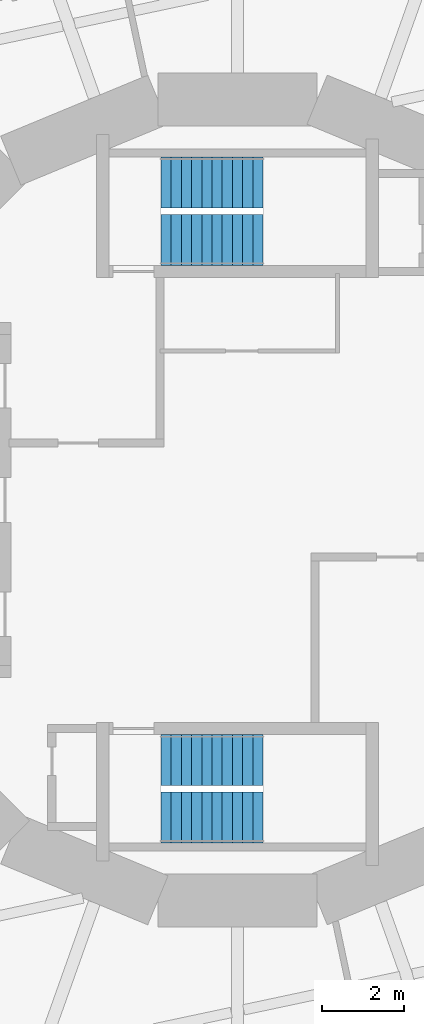
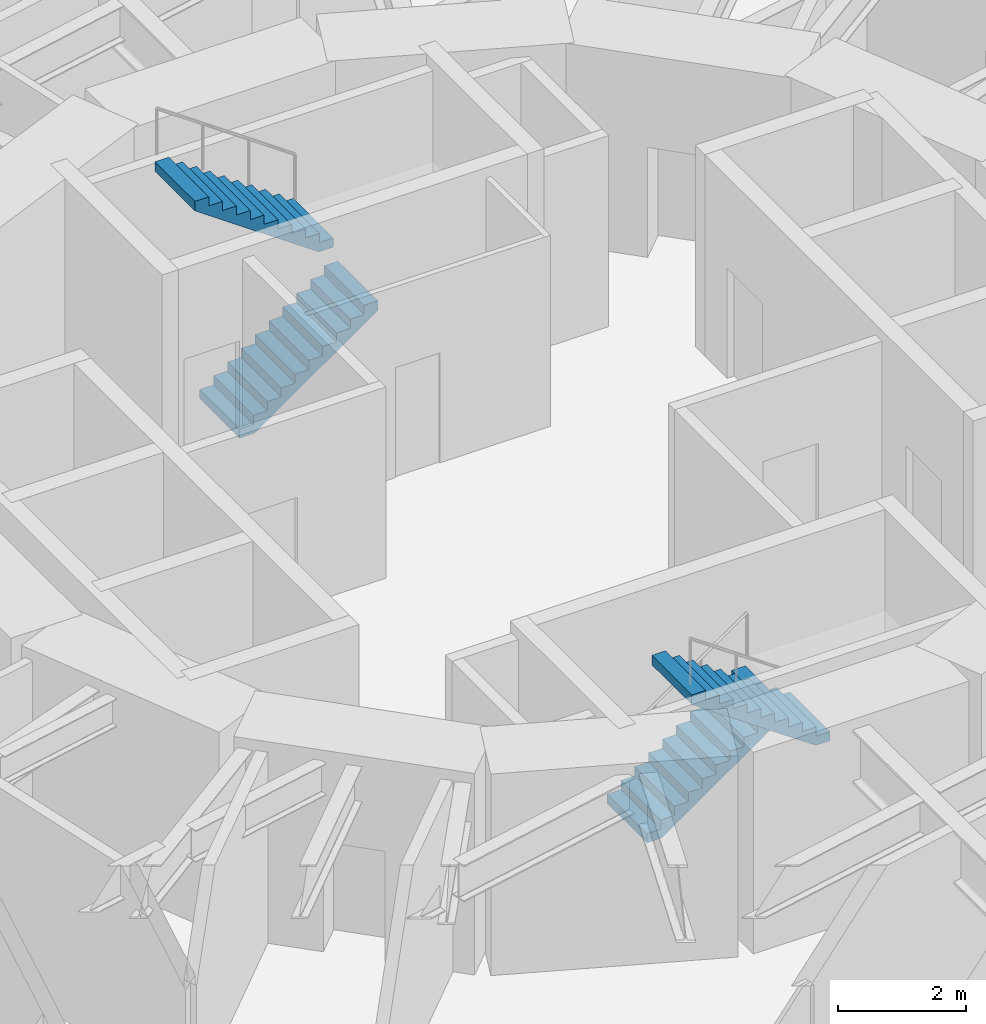
# One storey, part 12 of 14: 4 stair flights, 2 elements without a shape of their own.
"""IFC4 building model written with IfcOpenShell, lengths in metres."""

from ifc_helpers import new_model, si_unit, direction, frame, origin, place, context, subcontext, project, spatial, polyline, outline, extrude, material, type_object, element, aggregate, save


model = new_model("IFC4")

# Units and contexts
model_context = context("Model", 3, precision=1e-05, world=origin(), true_north=direction((0.0, 1.0)))
body_context = subcontext(model_context, "Body", "Model", "MODEL_VIEW")
ifc_project = project(units=[si_unit("LENGTHUNIT", "METRE"), si_unit("AREAUNIT", "SQUARE_METRE"), si_unit("VOLUMEUNIT", "CUBIC_METRE"), si_unit("PLANEANGLEUNIT", "RADIAN"), si_unit("MASSUNIT", "GRAM", prefix="KILO")], contexts=[model_context])

# Site, building, storey
site_placement = place(None, origin())
site = spatial("IfcSite", under=ifc_project, at=site_placement, CompositionType="ELEMENT")
building_placement = place(site_placement, origin())
building = spatial("IfcBuilding", under=site, at=building_placement, Name="Nakasero Lantern House", CompositionType="ELEMENT")
storey_placement = place(building_placement, frame((0.0, 0.0, 116.550048828125)))
storey = spatial("IfcBuildingStorey", under=building, at=storey_placement, Name="L28", CompositionType="ELEMENT", Elevation=116.550048828125)

# Stair, stair flights
ifc_material_1 = material(Name="Concrete C40/50", Category="concrete")
stair_type_1 = type_object("IfcStairType", Name="Escape stair ST1 22 risers", PredefinedType="HALF_TURN_STAIR", material=ifc_material_1)
stair_1_placement = place(storey_placement, origin())
stair_1 = element("IfcStair", 1, at=stair_1_placement, inside=storey, type_object=stair_type_1, Name="Escape stair ST1 L28", PredefinedType="HALF_TURN_STAIR")
ifc_material_2 = material(Name="Concrete C40/50", Category="concrete")
stair_flight_type = type_object("IfcStairFlightType", Name="Escape stair flight", PredefinedType="STRAIGHT", material=ifc_material_2)
stair_flight_1_placement = place(storey_placement, frame((-1.875, 6.375, 0.0), z_axis=(0.0, 0.0, 1.0), x_axis=(1.0, 0.0, 0.0)))
stair_flight_1 = element("IfcStairFlight", 2, at=stair_flight_1_placement, type_object=stair_flight_type, Name="ST1 flight 1", NumberOfRisers=11, NumberOfTreads=10, PredefinedType="STRAIGHT", RiserHeight=0.175, TreadLength=0.25, context=body_context, shape_type="SweptSolid", body=[
    extrude(outline(polyline([(0.0, 0.0), (0.0, 0.175048828125), (0.25, 0.175048828125), (0.25, 0.35009765625), (0.5, 0.35009765625), (0.5, 0.52490234375), (0.75, 0.52490234375), (0.75, 0.699951171875), (1.0, 0.699951171875), (1.0, 0.875), (1.25, 0.875), (1.25, 1.050048828125), (1.5, 1.050048828125), (1.5, 1.22509765625), (1.75, 1.22509765625), (1.75, 1.39990234375), (2.0, 1.39990234375), (2.0, 1.574951171875), (2.25, 1.574951171875), (2.25, 1.75), (2.5, 1.75), (2.5, 1.925048828125), (2.5, 1.567138671875), (0.261474609375, 0.0), (0.0, 0.0)])), frame((0.0, 0.625, 0.0), z_axis=(0.0, -1.0, 0.0), x_axis=(1.0, 0.0, 0.0)), (0.0, 0.0, 1.0), 1.25),
])
stair_flight_2_placement = place(storey_placement, frame((0.625, 7.77490234375, 1.925048828125), z_axis=(0.0, 0.0, 1.0), x_axis=(-1.0, 0.0, 0.0)))
stair_flight_2 = element("IfcStairFlight", 3, at=stair_flight_2_placement, type_object=stair_flight_type, Name="ST1 flight 2", NumberOfRisers=11, NumberOfTreads=10, PredefinedType="STRAIGHT", RiserHeight=0.175, TreadLength=0.25, context=body_context, shape_type="SweptSolid", body=[
    extrude(outline(polyline([(0.0, 0.0), (0.0, 0.175048828125), (0.25, 0.175048828125), (0.25, 0.35009765625), (0.5, 0.35009765625), (0.5, 0.52490234375), (0.75, 0.52490234375), (0.75, 0.699951171875), (1.0, 0.699951171875), (1.0, 0.875), (1.25, 0.875), (1.25, 1.050048828125), (1.5, 1.050048828125), (1.5, 1.22509765625), (1.75, 1.22509765625), (1.75, 1.39990234375), (2.0, 1.39990234375), (2.0, 1.574951171875), (2.25, 1.574951171875), (2.25, 1.75), (2.5, 1.75), (2.5, 1.925048828125), (2.5, 1.567138671875), (0.261474609375, 0.0), (0.0, 0.0)])), frame((0.0, 0.625, 0.0), z_axis=(0.0, -1.0, 0.0), x_axis=(1.0, 0.0, 0.0)), (0.0, 0.0, 1.0), 1.25),
])
aggregate(stair_1, [stair_flight_1, stair_flight_2])

ifc_material_3 = material(Name="Concrete C40/50", Category="concrete")
stair_type_2 = type_object("IfcStairType", Name="Escape stair ST2 22 risers", PredefinedType="HALF_TURN_STAIR", material=ifc_material_3)
stair_2_placement = place(storey_placement, origin())
stair_2 = element("IfcStair", 4, at=stair_2_placement, inside=storey, type_object=stair_type_2, Name="Escape stair ST2 L28", PredefinedType="HALF_TURN_STAIR")
stair_flight_3_placement = place(storey_placement, frame((-1.875, -6.375, 0.0), z_axis=(0.0, 0.0, 1.0), x_axis=(1.0, 0.0, 0.0)))
stair_flight_3 = element("IfcStairFlight", 5, at=stair_flight_3_placement, type_object=stair_flight_type, Name="ST2 flight 1", NumberOfRisers=11, NumberOfTreads=10, PredefinedType="STRAIGHT", RiserHeight=0.175, TreadLength=0.25, context=body_context, shape_type="SweptSolid", body=[
    extrude(outline(polyline([(0.0, 0.0), (0.0, 0.175048828125), (0.25, 0.175048828125), (0.25, 0.35009765625), (0.5, 0.35009765625), (0.5, 0.52490234375), (0.75, 0.52490234375), (0.75, 0.699951171875), (1.0, 0.699951171875), (1.0, 0.875), (1.25, 0.875), (1.25, 1.050048828125), (1.5, 1.050048828125), (1.5, 1.22509765625), (1.75, 1.22509765625), (1.75, 1.39990234375), (2.0, 1.39990234375), (2.0, 1.574951171875), (2.25, 1.574951171875), (2.25, 1.75), (2.5, 1.75), (2.5, 1.925048828125), (2.5, 1.567138671875), (0.261474609375, 0.0), (0.0, 0.0)])), frame((0.0, 0.625, 0.0), z_axis=(0.0, -1.0, 0.0), x_axis=(1.0, 0.0, 0.0)), (0.0, 0.0, 1.0), 1.25),
])
stair_flight_4_placement = place(storey_placement, frame((0.625, -7.77490234375, 1.925048828125), z_axis=(0.0, 0.0, 1.0), x_axis=(-1.0, 0.0, 0.0)))
stair_flight_4 = element("IfcStairFlight", 6, at=stair_flight_4_placement, type_object=stair_flight_type, Name="ST2 flight 2", NumberOfRisers=11, NumberOfTreads=10, PredefinedType="STRAIGHT", RiserHeight=0.175, TreadLength=0.25, context=body_context, shape_type="SweptSolid", body=[
    extrude(outline(polyline([(0.0, 0.0), (0.0, 0.175048828125), (0.25, 0.175048828125), (0.25, 0.35009765625), (0.5, 0.35009765625), (0.5, 0.52490234375), (0.75, 0.52490234375), (0.75, 0.699951171875), (1.0, 0.699951171875), (1.0, 0.875), (1.25, 0.875), (1.25, 1.050048828125), (1.5, 1.050048828125), (1.5, 1.22509765625), (1.75, 1.22509765625), (1.75, 1.39990234375), (2.0, 1.39990234375), (2.0, 1.574951171875), (2.25, 1.574951171875), (2.25, 1.75), (2.5, 1.75), (2.5, 1.925048828125), (2.5, 1.567138671875), (0.261474609375, 0.0), (0.0, 0.0)])), frame((0.0, 0.625, 0.0), z_axis=(0.0, -1.0, 0.0), x_axis=(1.0, 0.0, 0.0)), (0.0, 0.0, 1.0), 1.25),
])
aggregate(stair_2, [stair_flight_3, stair_flight_4])

save(model, "model.ifc")
